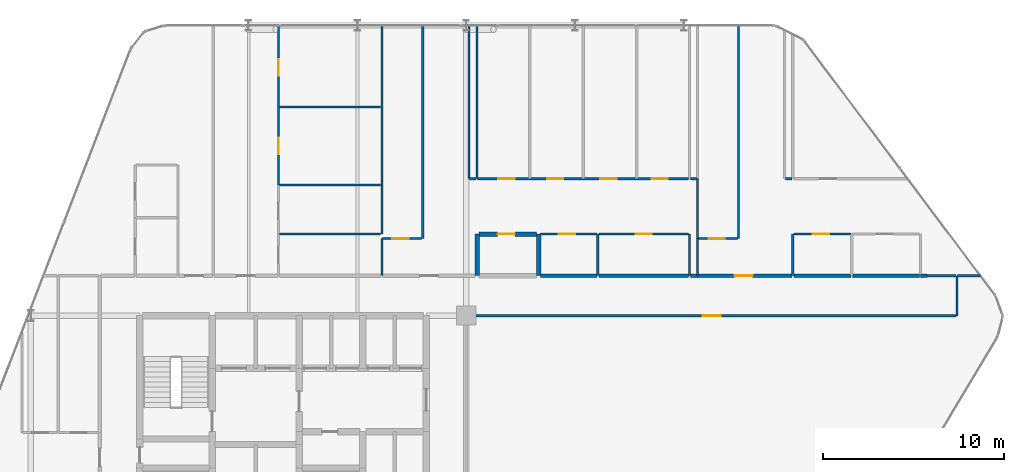
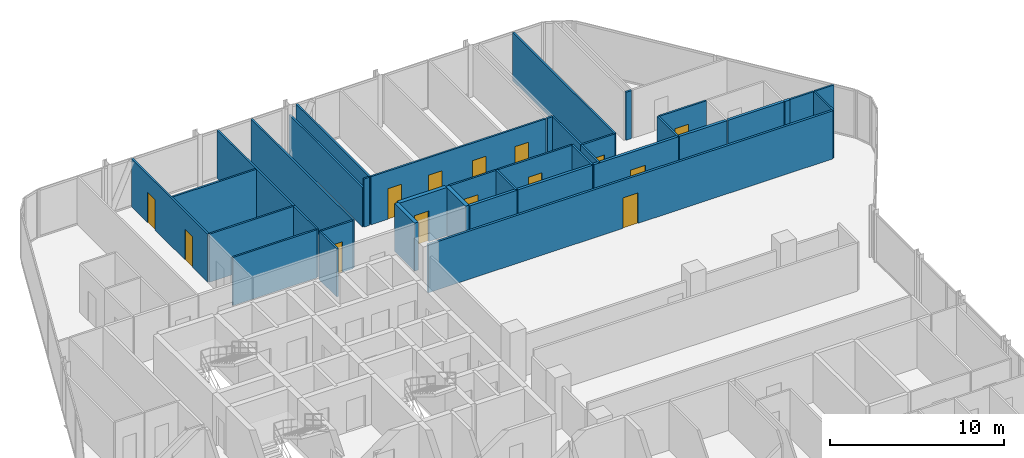
# One storey, part 28 of 30: 38 walls, 14 doors, 14 openings.
"""IFC4 building model written with IfcOpenShell, lengths in metres."""

from ifc_helpers import new_model, si_unit, direction, frame, frame_2d, origin, place, context, subcontext, project, spatial, rectangle, extrude, material, layer, layer_set, type_object, element, fill, save


model = new_model("IFC4")

# Units and contexts
model_context = context("Model", 3, precision=1e-05, world=origin(), true_north=direction((0.0, 1.0)))
body_context = subcontext(model_context, "Body", "Model", "MODEL_VIEW")
ifc_project = project(units=[si_unit("LENGTHUNIT", "METRE"), si_unit("AREAUNIT", "SQUARE_METRE"), si_unit("VOLUMEUNIT", "CUBIC_METRE"), si_unit("PLANEANGLEUNIT", "RADIAN"), si_unit("MASSUNIT", "GRAM", prefix="KILO")], contexts=[model_context])

# Site, building, storey
site_placement = place(None, origin())
site = spatial("IfcSite", under=ifc_project, at=site_placement, CompositionType="ELEMENT")
building_placement = place(site_placement, origin())
building = spatial("IfcBuilding", under=site, at=building_placement, Name="Keshet Zoharim Tower", CompositionType="ELEMENT")
storey_placement = place(building_placement, frame((0.0, 0.0, 90.89990234375)))
storey = spatial("IfcBuildingStorey", under=building, at=storey_placement, Name="L21", CompositionType="ELEMENT", Elevation=90.89990234375)

# Wall, opening, door
ifc_material_1 = material(Name="Gypsum Plasterboard", Category="gypsum")
ifc_layer_1 = layer(ifc_material_1, 0.14990234375)
ifc_layer_set_1 = layer_set([ifc_layer_1], Name="Gypsum Plasterboard")
wall_type_1 = type_object("IfcWallType", Name="WL-CLIN-150", PredefinedType="STANDARD", material=ifc_layer_set_1)
wall_1_placement = place(storey_placement, frame((33.070068359375, 37.89990234375, 0.0), z_axis=(0.0, 0.0, 1.0), x_axis=(1.0, 0.0, 0.0)))
wall_1 = element("IfcWall", 1, at=wall_1_placement, inside=storey, type_object=wall_type_1, Name="L21 Interior Wall 179", PredefinedType="STANDARD", context=body_context, shape_type="SweptSolid", body=[
    extrude(rectangle(XDim=26.934814453125, YDim=0.14990234375, at=frame_2d((13.46728515625, 0.0))), origin(), (0.0, 0.0, 1.0), 3.385009765625),
])
opening_1_placement = place(wall_1_placement, frame((12.9599609375, 0.0, 0.0)))
opening_1 = element("IfcOpeningElement", 2, at=opening_1_placement, cuts=wall_1, Name="Opening D-F310", PredefinedType="OPENING", context=body_context, shape_type="SweptSolid", body=[
    extrude(rectangle(XDim=1.0, YDim=2.14990234375, at=frame_2d((0.5, 1.074951171875))), frame((0.0, 0.0849609375, 0.0), z_axis=(0.0, -1.0, 0.0), x_axis=(1.0, 0.0, 0.0)), (0.0, 0.0, 1.0), 0.169921875),
])
ifc_material_2 = material(Name="Hardwood Timber", Category="wood")
door_type_1 = type_object("IfcDoorType", Name="DR-FD30-100", OperationType="NOTDEFINED", PredefinedType="DOOR", material=ifc_material_2)
door_1_placement = place(opening_1_placement, origin())
door_1 = element("IfcDoor", 3, at=door_1_placement, inside=storey, type_object=door_type_1, Name="L21 North East Residents Services Suite Door 1", OperationType="SINGLE_SWING_LEFT", OverallHeight=2.14990234375, OverallWidth=1.0, PredefinedType="DOOR", context=body_context, shape_type="SweptSolid", body=[
    extrude(rectangle(XDim=1.0, YDim=2.14990234375, at=frame_2d((0.5, 1.074951171875))), frame((0.0, 0.02490234375, 0.0), z_axis=(0.0, -1.0, 0.0), x_axis=(1.0, 0.0, 0.0)), (0.0, 0.0, 1.0), 0.050048828125),
])
fill(opening_1, door_1)

# Walls
ifc_layer_2 = layer(ifc_material_1, 0.179931640625)
ifc_layer_set_2 = layer_set([ifc_layer_2], Name="Gypsum Plasterboard")
wall_type_2 = type_object("IfcWallType", Name="WL-CORR-180", PredefinedType="STANDARD", material=ifc_layer_set_2)
wall_2_placement = place(storey_placement, frame((37.092041015625, 40.10009765625, 0.0), z_axis=(0.0, 0.0, 1.0), x_axis=(1.0, 0.0, 0.0)))
element("IfcWall", 4, at=wall_2_placement, inside=storey, type_object=wall_type_2, Name="L21 Interior Wall 189", PredefinedType="STANDARD", context=body_context, shape_type="SweptSolid", body=[
    extrude(rectangle(XDim=3.12890625, YDim=0.179931640625, at=frame_2d((1.564453125, 0.0))), origin(), (0.0, 0.0, 1.0), 3.385009765625),
])
wall_3_placement = place(storey_placement, frame((40.31103515625, 40.10009765625, 0.0), z_axis=(0.0, 0.0, 1.0), x_axis=(1.0, 0.0, 0.0)))
element("IfcWall", 5, at=wall_3_placement, inside=storey, type_object=wall_type_2, Name="L21 Interior Wall 190", PredefinedType="STANDARD", context=body_context, shape_type="SweptSolid", body=[
    extrude(rectangle(XDim=4.953857421875, YDim=0.179931640625, at=frame_2d((2.47705078125, 0.0))), origin(), (0.0, 0.0, 1.0), 3.385009765625),
])

# Wall, opening, door
wall_4_placement = place(storey_placement, frame((45.35498046875, 40.10009765625, 0.0), z_axis=(0.0, 0.0, 1.0), x_axis=(1.0, 0.0, 0.0)))
wall_4 = element("IfcWall", 6, at=wall_4_placement, inside=storey, type_object=wall_type_2, Name="L21 Interior Wall 191", PredefinedType="STANDARD", context=body_context, shape_type="SweptSolid", body=[
    extrude(rectangle(XDim=5.610107421875, YDim=0.179931640625, at=frame_2d((2.80517578125, 0.0))), origin(), (0.0, 0.0, 1.0), 3.385009765625),
])
opening_2_placement = place(wall_4_placement, frame((2.43505859375, 0.0, 0.0)))
opening_2 = element("IfcOpeningElement", 7, at=opening_2_placement, cuts=wall_4, Name="Opening D-F310", PredefinedType="OPENING", context=body_context, shape_type="SweptSolid", body=[
    extrude(rectangle(XDim=1.0, YDim=2.14990234375, at=frame_2d((0.5, 1.074951171875))), frame((0.0, 0.10009765625, 0.0), z_axis=(0.0, -1.0, 0.0), x_axis=(1.0, 0.0, 0.0)), (0.0, 0.0, 1.0), 0.199951171875),
])
door_2_placement = place(opening_2_placement, origin())
door_2 = element("IfcDoor", 8, at=door_2_placement, inside=storey, type_object=door_type_1, Name="Apartment 2107 Entrance Door", OperationType="SINGLE_SWING_LEFT", OverallHeight=2.14990234375, OverallWidth=1.0, PredefinedType="DOOR", context=body_context, shape_type="SweptSolid", body=[
    extrude(rectangle(XDim=1.0, YDim=2.14990234375, at=frame_2d((0.5, 1.074951171875))), frame((0.0, 0.02490234375, 0.0), z_axis=(0.0, -1.0, 0.0), x_axis=(1.0, 0.0, 0.0)), (0.0, 0.0, 1.0), 0.050048828125),
])
fill(opening_2, door_2)

# Walls
wall_5_placement = place(storey_placement, frame((51.054931640625, 40.10009765625, 0.0), z_axis=(0.0, 0.0, 1.0), x_axis=(1.0, 0.0, 0.0)))
element("IfcWall", 9, at=wall_5_placement, inside=storey, type_object=wall_type_2, Name="L21 Interior Wall 192", PredefinedType="STANDARD", context=body_context, shape_type="SweptSolid", body=[
    extrude(rectangle(XDim=3.14306640625, YDim=0.179931640625, at=frame_2d((1.571533203125, 0.0))), origin(), (0.0, 0.0, 1.0), 3.385009765625),
])
wall_6_placement = place(storey_placement, frame((54.2880859375, 40.10009765625, 0.0), z_axis=(0.0, 0.0, 1.0), x_axis=(1.0, 0.0, 0.0)))
element("IfcWall", 10, at=wall_6_placement, inside=storey, type_object=wall_type_2, Name="L21 Interior Wall 193", PredefinedType="STANDARD", context=body_context, shape_type="SweptSolid", body=[
    extrude(rectangle(XDim=3.704833984375, YDim=0.179931640625, at=frame_2d((1.8525390625, 0.0))), origin(), (0.0, 0.0, 1.0), 3.385009765625),
])
wall_7_placement = place(storey_placement, frame((58.050048828125, 40.10009765625, 0.0), z_axis=(0.0, 0.0, 1.0), x_axis=(1.0, 0.0, 0.0)))
element("IfcWall", 11, at=wall_7_placement, inside=storey, type_object=wall_type_2, Name="L21 Interior Wall 194", PredefinedType="STANDARD", context=body_context, shape_type="SweptSolid", body=[
    extrude(rectangle(XDim=0.349853515625, YDim=0.179931640625, at=frame_2d((0.1748046875, 0.0))), origin(), (0.0, 0.0, 1.0), 3.385009765625),
])
ifc_material_3 = material(Name="Concrete C50/60", Category="concrete")
ifc_layer_3 = layer(ifc_material_3, 0.25)
ifc_layer_set_3 = layer_set([ifc_layer_3], Name="Concrete C50/60")
wall_type_3 = type_object("IfcWallType", Name="WL-MAMAD-250", PredefinedType="STANDARD", material=ifc_layer_set_3)
for number, where, z_axis, x_axis, name in (
    (12, (33.60009765625, 40.10009765625, 0.0), (0.0, 0.0, 1.0), (0.0, 1.0, 0.0), "L21 Interior Wall 073"),
    (13, (37.0, 40.10009765625, 0.0), (0.0, 0.0, 1.0), (0.0, 1.0, 0.0), "L21 Interior Wall 078"),
):
    element("IfcWall", number, at=place(storey_placement, frame(where, z_axis=z_axis, x_axis=x_axis)), inside=storey, type_object=wall_type_3, Name=name, PredefinedType="STANDARD", context=body_context, shape_type="SweptSolid", body=[
        extrude(rectangle(XDim=2.2998046875, YDim=0.25, at=frame_2d((1.14990234375, 0.0))), origin(), (0.0, 0.0, 1.0), 3.385009765625),
    ])

# Wall, opening, door
wall_8_placement = place(storey_placement, frame((33.68994140625, 42.39990234375, 0.0), z_axis=(0.0, 0.0, 1.0), x_axis=(1.0, 0.0, 0.0)))
wall_8 = element("IfcWall", 14, at=wall_8_placement, inside=storey, type_object=wall_type_3, Name="L21 Interior Wall 200", PredefinedType="STANDARD", context=body_context, shape_type="SweptSolid", body=[
    extrude(rectangle(XDim=3.18212890625, YDim=0.25, at=frame_2d((1.591064453125, 0.0))), origin(), (0.0, 0.0, 1.0), 3.385009765625),
])
opening_3_placement = place(wall_8_placement, frame((1.0419921875, 0.0, 0.0)))
opening_3 = element("IfcOpeningElement", 15, at=opening_3_placement, cuts=wall_8, Name="Opening D-F695", PredefinedType="OPENING", context=body_context, shape_type="SweptSolid", body=[
    extrude(rectangle(XDim=0.949951171875, YDim=2.14990234375, at=frame_2d((0.47509765625, 1.074951171875))), frame((0.0, 0.135009765625, 0.0), z_axis=(0.0, -1.0, 0.0), x_axis=(1.0, 0.0, 0.0)), (0.0, 0.0, 1.0), 0.27001953125),
])
door_type_2 = type_object("IfcDoorType", Name="DR-FD60-095", OperationType="NOTDEFINED", PredefinedType="DOOR", material=ifc_material_2)
door_3_placement = place(opening_3_placement, origin())
door_3 = element("IfcDoor", 16, at=door_3_placement, inside=storey, type_object=door_type_2, Name="Apartment 2106 Study and Shelter Room Door", OperationType="SINGLE_SWING_RIGHT", OverallHeight=2.14990234375, OverallWidth=0.949951171875, PredefinedType="DOOR", context=body_context, shape_type="SweptSolid", body=[
    extrude(rectangle(XDim=0.949951171875, YDim=2.14990234375, at=frame_2d((0.47509765625, 1.074951171875))), frame((0.0, 0.02490234375, 0.0), z_axis=(0.0, -1.0, 0.0), x_axis=(1.0, 0.0, 0.0)), (0.0, 0.0, 1.0), 0.050048828125),
])
fill(opening_3, door_3)

# Wall, openings, doors
ifc_layer_4 = layer(ifc_material_1, 0.1201171875)
ifc_layer_set_4 = layer_set([ifc_layer_4], Name="Gypsum Plasterboard")
wall_type_4 = type_object("IfcWallType", Name="WL-PART-120", PredefinedType="PARTITIONING", material=ifc_layer_set_4)
wall_9_placement = place(storey_placement, frame((22.64990234375, 45.10009765625, 0.0), z_axis=(0.0, 0.0, 1.0), x_axis=(0.0, 1.0, 0.0)))
wall_9 = element("IfcWall", 17, at=wall_9_placement, inside=storey, type_object=wall_type_4, Name="L21 Interior Wall 033", PredefinedType="PARTITIONING", context=body_context, shape_type="SweptSolid", body=[
    extrude(rectangle(XDim=8.789794921875, YDim=0.1201171875, at=frame_2d((4.39501953125, 0.0))), origin(), (0.0, 0.0, 1.0), 3.385009765625),
])
opening_4_placement = place(wall_9_placement, frame((1.7119140625, 0.0, 0.0)))
opening_4 = element("IfcOpeningElement", 18, at=opening_4_placement, cuts=wall_9, Name="Opening D-IN90", PredefinedType="OPENING", context=body_context, shape_type="SweptSolid", body=[
    extrude(rectangle(XDim=0.89990234375, YDim=2.14990234375, at=frame_2d((0.449951171875, 1.074951171875))), frame((0.0, 0.070068359375, 0.0), z_axis=(0.0, -1.0, 0.0), x_axis=(1.0, 0.0, 0.0)), (0.0, 0.0, 1.0), 0.14013671875),
])
opening_5_placement = place(wall_9_placement, frame((6.030029296875, 0.0, 0.0)))
opening_5 = element("IfcOpeningElement", 19, at=opening_5_placement, cuts=wall_9, Name="Opening D-IN90", PredefinedType="OPENING", context=body_context, shape_type="SweptSolid", body=[
    extrude(rectangle(XDim=0.89990234375, YDim=2.14990234375, at=frame_2d((0.449951171875, 1.074951171875))), frame((0.0, 0.070068359375, 0.0), z_axis=(0.0, -1.0, 0.0), x_axis=(1.0, 0.0, 0.0)), (0.0, 0.0, 1.0), 0.14013671875),
])
door_type_3 = type_object("IfcDoorType", Name="DR-INT-090", OperationType="NOTDEFINED", PredefinedType="DOOR", material=ifc_material_2)
door_4_placement = place(opening_4_placement, origin())
door_4 = element("IfcDoor", 20, at=door_4_placement, inside=storey, type_object=door_type_3, Name="Apartment 2105 Bedroom 1 Door", OperationType="SINGLE_SWING_LEFT", OverallHeight=2.14990234375, OverallWidth=0.89990234375, PredefinedType="DOOR", context=body_context, shape_type="SweptSolid", body=[
    extrude(rectangle(XDim=0.89990234375, YDim=2.14990234375, at=frame_2d((0.449951171875, 1.074951171875))), frame((0.0, 0.02490234375, 0.0), z_axis=(0.0, -1.0, 0.0), x_axis=(1.0, 0.0, 0.0)), (0.0, 0.0, 1.0), 0.050048828125),
])
fill(opening_4, door_4)
door_5_placement = place(opening_5_placement, origin())
door_5 = element("IfcDoor", 21, at=door_5_placement, inside=storey, type_object=door_type_3, Name="Apartment 2105 Bedroom 2 Door", OperationType="SINGLE_SWING_RIGHT", OverallHeight=2.14990234375, OverallWidth=0.89990234375, PredefinedType="DOOR", context=body_context, shape_type="SweptSolid", body=[
    extrude(rectangle(XDim=0.89990234375, YDim=2.14990234375, at=frame_2d((0.449951171875, 1.074951171875))), frame((0.0, 0.02490234375, 0.0), z_axis=(0.0, -1.0, 0.0), x_axis=(1.0, 0.0, 0.0)), (0.0, 0.0, 1.0), 0.050048828125),
])
fill(opening_5, door_5)

# Walls
wall_10_placement = place(storey_placement, frame((28.35009765625, 40.10009765625, 0.0), z_axis=(0.0, 0.0, 1.0), x_axis=(0.0, 1.0, 0.0)))
element("IfcWall", 22, at=wall_10_placement, inside=storey, type_object=wall_type_4, Name="L21 Interior Wall 053", PredefinedType="PARTITIONING", context=body_context, shape_type="SweptSolid", body=[
    extrude(rectangle(XDim=2.0498046875, YDim=0.1201171875, at=frame_2d((1.02490234375, 0.0))), origin(), (0.0, 0.0, 1.0), 3.385009765625),
])
wall_11_placement = place(storey_placement, frame((28.35009765625, 45.10009765625, 0.0), z_axis=(0.0, 0.0, 1.0), x_axis=(0.0, 1.0, 0.0)))
element("IfcWall", 23, at=wall_11_placement, inside=storey, type_object=wall_type_4, Name="L21 Interior Wall 055", PredefinedType="PARTITIONING", context=body_context, shape_type="SweptSolid", body=[
    extrude(rectangle(XDim=8.789794921875, YDim=0.1201171875, at=frame_2d((4.39501953125, 0.0))), origin(), (0.0, 0.0, 1.0), 3.385009765625),
])
wall_12_placement = place(storey_placement, frame((30.60009765625, 42.14990234375, 0.0), z_axis=(0.0, 0.0, 1.0), x_axis=(0.0, 1.0, 0.0)))
element("IfcWall", 24, at=wall_12_placement, inside=storey, type_object=wall_type_4, Name="L21 Interior Wall 060", PredefinedType="PARTITIONING", context=body_context, shape_type="SweptSolid", body=[
    extrude(rectangle(XDim=11.739990234375, YDim=0.1201171875, at=frame_2d((5.8701171875, 0.0))), origin(), (0.0, 0.0, 1.0), 3.385009765625),
])
wall_13_placement = place(storey_placement, frame((33.14990234375, 45.449951171875, 0.0), z_axis=(0.0, 0.0, 1.0), x_axis=(0.0, 1.0, 0.0)))
element("IfcWall", 25, at=wall_13_placement, inside=storey, type_object=wall_type_4, Name="L21 Interior Wall 071", PredefinedType="PARTITIONING", context=body_context, shape_type="SweptSolid", body=[
    extrude(rectangle(XDim=8.43994140625, YDim=0.1201171875, at=frame_2d((4.219970703125, 0.0))), origin(), (0.0, 0.0, 1.0), 2.78515625),
])
wall_14_placement = place(storey_placement, frame((33.60009765625, 45.449951171875, 0.0), z_axis=(0.0, 0.0, 1.0), x_axis=(0.0, 1.0, 0.0)))
element("IfcWall", 26, at=wall_14_placement, inside=storey, type_object=wall_type_4, Name="L21 Interior Wall 074", PredefinedType="PARTITIONING", context=body_context, shape_type="SweptSolid", body=[
    extrude(rectangle(XDim=8.43994140625, YDim=0.1201171875, at=frame_2d((4.219970703125, 0.0))), origin(), (0.0, 0.0, 1.0), 3.385009765625),
])
wall_15_placement = place(storey_placement, frame((45.300048828125, 40.10009765625, 0.0), z_axis=(0.0, 0.0, 1.0), x_axis=(0.0, 1.0, 0.0)))
element("IfcWall", 27, at=wall_15_placement, inside=storey, type_object=wall_type_4, Name="L21 Interior Wall 090", PredefinedType="PARTITIONING", context=body_context, shape_type="SweptSolid", body=[
    extrude(rectangle(XDim=2.2998046875, YDim=0.1201171875, at=frame_2d((1.14990234375, 0.0))), origin(), (0.0, 0.0, 1.0), 3.385009765625),
])
wall_16_placement = place(storey_placement, frame((45.75, 40.10009765625, 0.0), z_axis=(0.0, 0.0, 1.0), x_axis=(0.0, 1.0, 0.0)))
element("IfcWall", 28, at=wall_16_placement, inside=storey, type_object=wall_type_4, Name="L21 Interior Wall 092", PredefinedType="PARTITIONING", context=body_context, shape_type="SweptSolid", body=[
    extrude(rectangle(XDim=2.0498046875, YDim=0.1201171875, at=frame_2d((1.02490234375, 0.0))), origin(), (0.0, 0.0, 1.0), 3.385009765625),
])
wall_17_placement = place(storey_placement, frame((45.75, 42.14990234375, 0.0), z_axis=(0.0, 0.0, 1.0), x_axis=(0.0, 1.0, 0.0)))
element("IfcWall", 29, at=wall_17_placement, inside=storey, type_object=wall_type_4, Name="L21 Interior Wall 093", PredefinedType="PARTITIONING", context=body_context, shape_type="SweptSolid", body=[
    extrude(rectangle(XDim=3.300048828125, YDim=0.1201171875, at=frame_2d((1.64990234375, 0.0))), origin(), (0.0, 0.0, 1.0), 3.385009765625),
])
wall_18_placement = place(storey_placement, frame((48.0, 42.14990234375, 0.0), z_axis=(0.0, 0.0, 1.0), x_axis=(0.0, 1.0, 0.0)))
element("IfcWall", 30, at=wall_18_placement, inside=storey, type_object=wall_type_4, Name="L21 Interior Wall 098", PredefinedType="PARTITIONING", context=body_context, shape_type="SweptSolid", body=[
    extrude(rectangle(XDim=11.739990234375, YDim=0.1201171875, at=frame_2d((5.8701171875, 0.0))), origin(), (0.0, 0.0, 1.0), 3.385009765625),
])
wall_19_placement = place(storey_placement, frame((51.0, 40.10009765625, 0.0), z_axis=(0.0, 0.0, 1.0), x_axis=(0.0, 1.0, 0.0)))
element("IfcWall", 31, at=wall_19_placement, inside=storey, type_object=wall_type_4, Name="L21 Interior Wall 102", PredefinedType="PARTITIONING", context=body_context, shape_type="SweptSolid", body=[
    extrude(rectangle(XDim=2.2998046875, YDim=0.1201171875, at=frame_2d((1.14990234375, 0.0))), origin(), (0.0, 0.0, 1.0), 3.385009765625),
])
wall_20_placement = place(storey_placement, frame((60.050048828125, 37.889892578125, 0.0), z_axis=(0.0, 0.0, 1.0), x_axis=(0.0, 1.0, 0.0)))
element("IfcWall", 32, at=wall_20_placement, inside=storey, type_object=wall_type_4, Name="L21 Interior Wall 112", PredefinedType="PARTITIONING", context=body_context, shape_type="SweptSolid", body=[
    extrude(rectangle(XDim=2.2001953125, YDim=0.1201171875, at=frame_2d((1.10009765625, 0.0))), origin(), (0.0, 0.0, 1.0), 3.385009765625),
])
wall_21_placement = place(storey_placement, frame((58.39990234375, 40.10009765625, 0.0), z_axis=(0.0, 0.0, 1.0), x_axis=(1.0, 0.0, 0.0)))
element("IfcWall", 33, at=wall_21_placement, inside=storey, type_object=wall_type_4, Name="L21 Interior Wall 195", PredefinedType="PARTITIONING", context=body_context, shape_type="SweptSolid", body=[
    extrude(rectangle(XDim=1.60498046875, YDim=0.1201171875, at=frame_2d((0.802490234375, 0.0))), origin(), (0.0, 0.0, 1.0), 3.385009765625),
])
wall_22_placement = place(storey_placement, frame((60.094970703125, 40.10009765625, 0.0), z_axis=(0.0, 0.0, 1.0), x_axis=(1.0, 0.0, 0.0)))
element("IfcWall", 34, at=wall_22_placement, inside=storey, type_object=wall_type_4, Name="L21 Interior Wall 196", PredefinedType="PARTITIONING", context=body_context, shape_type="SweptSolid", body=[
    extrude(rectangle(XDim=1.2451171875, YDim=0.1201171875, at=frame_2d((0.62255859375, 0.0))), origin(), (0.0, 0.0, 1.0), 3.385009765625),
])

# Wall, opening, door
wall_23_placement = place(storey_placement, frame((28.375, 42.14990234375, 0.0), z_axis=(0.0, 0.0, 1.0), x_axis=(1.0, 0.0, 0.0)))
wall_23 = element("IfcWall", 35, at=wall_23_placement, inside=storey, type_object=wall_type_4, Name="L21 Interior Wall 197", PredefinedType="PARTITIONING", context=body_context, shape_type="SweptSolid", body=[
    extrude(rectangle(XDim=2.159912109375, YDim=0.1201171875, at=frame_2d((1.080078125, 0.0))), origin(), (0.0, 0.0, 1.0), 3.385009765625),
])
opening_6_placement = place(wall_23_placement, frame((0.552978515625, 0.0, 0.0)))
opening_6 = element("IfcOpeningElement", 36, at=opening_6_placement, cuts=wall_23, Name="Opening D-IN90", PredefinedType="OPENING", context=body_context, shape_type="SweptSolid", body=[
    extrude(rectangle(XDim=0.89990234375, YDim=2.14990234375, at=frame_2d((0.449951171875, 1.074951171875))), frame((0.0, 0.070068359375, 0.0), z_axis=(0.0, -1.0, 0.0), x_axis=(1.0, 0.0, 0.0)), (0.0, 0.0, 1.0), 0.14013671875),
])
door_6_placement = place(opening_6_placement, origin())
door_6 = element("IfcDoor", 37, at=door_6_placement, inside=storey, type_object=door_type_3, Name="Apartment 2106 Formal Dining Room Door", OperationType="SINGLE_SWING_RIGHT", OverallHeight=2.14990234375, OverallWidth=0.89990234375, PredefinedType="DOOR", context=body_context, shape_type="SweptSolid", body=[
    extrude(rectangle(XDim=0.89990234375, YDim=2.14990234375, at=frame_2d((0.449951171875, 1.074951171875))), frame((0.0, 0.02490234375, 0.0), z_axis=(0.0, -1.0, 0.0), x_axis=(1.0, 0.0, 0.0)), (0.0, 0.0, 1.0), 0.050048828125),
])
fill(opening_6, door_6)

wall_24_placement = place(storey_placement, frame((45.804931640625, 42.14990234375, 0.0), z_axis=(0.0, 0.0, 1.0), x_axis=(1.0, 0.0, 0.0)))
wall_24 = element("IfcWall", 38, at=wall_24_placement, inside=storey, type_object=wall_type_4, Name="L21 Interior Wall 198", PredefinedType="PARTITIONING", context=body_context, shape_type="SweptSolid", body=[
    extrude(rectangle(XDim=2.16015625, YDim=0.1201171875, at=frame_2d((1.080078125, 0.0))), origin(), (0.0, 0.0, 1.0), 3.385009765625),
])
opening_7_placement = place(wall_24_placement, frame((0.552978515625, 0.0, 0.0)))
opening_7 = element("IfcOpeningElement", 39, at=opening_7_placement, cuts=wall_24, Name="Opening D-IN90", PredefinedType="OPENING", context=body_context, shape_type="SweptSolid", body=[
    extrude(rectangle(XDim=0.89990234375, YDim=2.14990234375, at=frame_2d((0.449951171875, 1.074951171875))), frame((0.0, 0.070068359375, 0.0), z_axis=(0.0, -1.0, 0.0), x_axis=(1.0, 0.0, 0.0)), (0.0, 0.0, 1.0), 0.14013671875),
])
door_7_placement = place(opening_7_placement, origin())
door_7 = element("IfcDoor", 40, at=door_7_placement, inside=storey, type_object=door_type_3, Name="Apartment 2107 Formal Dining Room Door", OperationType="SINGLE_SWING_LEFT", OverallHeight=2.14990234375, OverallWidth=0.89990234375, PredefinedType="DOOR", context=body_context, shape_type="SweptSolid", body=[
    extrude(rectangle(XDim=0.89990234375, YDim=2.14990234375, at=frame_2d((0.449951171875, 1.074951171875))), frame((0.0, 0.02490234375, 0.0), z_axis=(0.0, -1.0, 0.0), x_axis=(1.0, 0.0, 0.0)), (0.0, 0.0, 1.0), 0.050048828125),
])
fill(opening_7, door_7)

wall_25_placement = place(storey_placement, frame((40.31103515625, 42.39990234375, 0.0), z_axis=(0.0, 0.0, 1.0), x_axis=(1.0, 0.0, 0.0)))
wall_25 = element("IfcWall", 41, at=wall_25_placement, inside=storey, type_object=wall_type_4, Name="L21 Interior Wall 202", PredefinedType="PARTITIONING", context=body_context, shape_type="SweptSolid", body=[
    extrude(rectangle(XDim=4.953857421875, YDim=0.1201171875, at=frame_2d((2.47705078125, 0.0))), origin(), (0.0, 0.0, 1.0), 3.385009765625),
])
opening_8_placement = place(wall_25_placement, frame((2.027099609375, 0.0, 0.0)))
opening_8 = element("IfcOpeningElement", 42, at=opening_8_placement, cuts=wall_25, Name="Opening D-IN90", PredefinedType="OPENING", context=body_context, shape_type="SweptSolid", body=[
    extrude(rectangle(XDim=0.89990234375, YDim=2.14990234375, at=frame_2d((0.449951171875, 1.074951171875))), frame((0.0, 0.070068359375, 0.0), z_axis=(0.0, -1.0, 0.0), x_axis=(1.0, 0.0, 0.0)), (0.0, 0.0, 1.0), 0.14013671875),
])
door_8_placement = place(opening_8_placement, origin())
door_8 = element("IfcDoor", 43, at=door_8_placement, inside=storey, type_object=door_type_3, Name="Apartment 2106 Kitchen Door", OperationType="SINGLE_SWING_RIGHT", OverallHeight=2.14990234375, OverallWidth=0.89990234375, PredefinedType="DOOR", context=body_context, shape_type="SweptSolid", body=[
    extrude(rectangle(XDim=0.89990234375, YDim=2.14990234375, at=frame_2d((0.449951171875, 1.074951171875))), frame((0.0, 0.02490234375, 0.0), z_axis=(0.0, -1.0, 0.0), x_axis=(1.0, 0.0, 0.0)), (0.0, 0.0, 1.0), 0.050048828125),
])
fill(opening_8, door_8)

wall_26_placement = place(storey_placement, frame((51.054931640625, 42.39990234375, 0.0), z_axis=(0.0, 0.0, 1.0), x_axis=(1.0, 0.0, 0.0)))
wall_26 = element("IfcWall", 44, at=wall_26_placement, inside=storey, type_object=wall_type_4, Name="L21 Interior Wall 203", PredefinedType="PARTITIONING", context=body_context, shape_type="SweptSolid", body=[
    extrude(rectangle(XDim=3.14306640625, YDim=0.1201171875, at=frame_2d((1.571533203125, 0.0))), origin(), (0.0, 0.0, 1.0), 3.385009765625),
])
opening_9_placement = place(wall_26_placement, frame((1.051025390625, 0.0, 0.0)))
opening_9 = element("IfcOpeningElement", 45, at=opening_9_placement, cuts=wall_26, Name="Opening D-IN90", PredefinedType="OPENING", context=body_context, shape_type="SweptSolid", body=[
    extrude(rectangle(XDim=0.89990234375, YDim=2.14990234375, at=frame_2d((0.449951171875, 1.074951171875))), frame((0.0, 0.070068359375, 0.0), z_axis=(0.0, -1.0, 0.0), x_axis=(1.0, 0.0, 0.0)), (0.0, 0.0, 1.0), 0.14013671875),
])
door_9_placement = place(opening_9_placement, origin())
door_9 = element("IfcDoor", 46, at=door_9_placement, inside=storey, type_object=door_type_3, Name="Apartment 2107 Kitchen Door", OperationType="SINGLE_SWING_LEFT", OverallHeight=2.14990234375, OverallWidth=0.89990234375, PredefinedType="DOOR", context=body_context, shape_type="SweptSolid", body=[
    extrude(rectangle(XDim=0.89990234375, YDim=2.14990234375, at=frame_2d((0.449951171875, 1.074951171875))), frame((0.0, 0.02490234375, 0.0), z_axis=(0.0, -1.0, 0.0), x_axis=(1.0, 0.0, 0.0)), (0.0, 0.0, 1.0), 0.050048828125),
])
fill(opening_9, door_9)

# Wall
wall_27_placement = place(storey_placement, frame((33.175048828125, 45.449951171875, 0.0), z_axis=(0.0, 0.0, 1.0), x_axis=(1.0, 0.0, 0.0)))
element("IfcWall", 47, at=wall_27_placement, inside=storey, type_object=wall_type_4, Name="L21 Interior Wall 207", PredefinedType="PARTITIONING", context=body_context, shape_type="SweptSolid", body=[
    extrude(rectangle(XDim=0.35986328125, YDim=0.1201171875, at=frame_2d((0.179931640625, 0.0))), origin(), (0.0, 0.0, 1.0), 3.385009765625),
])

# Wall, openings, doors
wall_28_placement = place(storey_placement, frame((33.625, 45.449951171875, 0.0), z_axis=(0.0, 0.0, 1.0), x_axis=(1.0, 0.0, 0.0)))
wall_28 = element("IfcWall", 48, at=wall_28_placement, inside=storey, type_object=wall_type_4, Name="L21 Interior Wall 208", PredefinedType="PARTITIONING", context=body_context, shape_type="SweptSolid", body=[
    extrude(rectangle(XDim=11.639892578125, YDim=0.1201171875, at=frame_2d((5.81982421875, 0.0))), origin(), (0.0, 0.0, 1.0), 3.385009765625),
])
opening_10_placement = place(wall_28_placement, frame((1.14599609375, 0.0, 0.0)))
opening_10 = element("IfcOpeningElement", 49, at=opening_10_placement, cuts=wall_28, Name="Opening D-IN90", PredefinedType="OPENING", context=body_context, shape_type="SweptSolid", body=[
    extrude(rectangle(XDim=0.89990234375, YDim=2.14990234375, at=frame_2d((0.449951171875, 1.074951171875))), frame((0.0, 0.070068359375, 0.0), z_axis=(0.0, -1.0, 0.0), x_axis=(1.0, 0.0, 0.0)), (0.0, 0.0, 1.0), 0.14013671875),
])
opening_11_placement = place(wall_28_placement, frame((3.833984375, 0.0, 0.0)))
opening_11 = element("IfcOpeningElement", 50, at=opening_11_placement, cuts=wall_28, Name="Opening D-IN90", PredefinedType="OPENING", context=body_context, shape_type="SweptSolid", body=[
    extrude(rectangle(XDim=0.89990234375, YDim=2.14990234375, at=frame_2d((0.449951171875, 1.074951171875))), frame((0.0, 0.070068359375, 0.0), z_axis=(0.0, -1.0, 0.0), x_axis=(1.0, 0.0, 0.0)), (0.0, 0.0, 1.0), 0.14013671875),
])
opening_12_placement = place(wall_28_placement, frame((6.76611328125, 0.0, 0.0)))
opening_12 = element("IfcOpeningElement", 51, at=opening_12_placement, cuts=wall_28, Name="Opening D-IN90", PredefinedType="OPENING", context=body_context, shape_type="SweptSolid", body=[
    extrude(rectangle(XDim=0.89990234375, YDim=2.14990234375, at=frame_2d((0.449951171875, 1.074951171875))), frame((0.0, 0.070068359375, 0.0), z_axis=(0.0, -1.0, 0.0), x_axis=(1.0, 0.0, 0.0)), (0.0, 0.0, 1.0), 0.14013671875),
])
opening_13_placement = place(wall_28_placement, frame((9.593994140625, 0.0, 0.0)))
opening_13 = element("IfcOpeningElement", 52, at=opening_13_placement, cuts=wall_28, Name="Opening D-IN90", PredefinedType="OPENING", context=body_context, shape_type="SweptSolid", body=[
    extrude(rectangle(XDim=0.89990234375, YDim=2.14990234375, at=frame_2d((0.449951171875, 1.074951171875))), frame((0.0, 0.070068359375, 0.0), z_axis=(0.0, -1.0, 0.0), x_axis=(1.0, 0.0, 0.0)), (0.0, 0.0, 1.0), 0.14013671875),
])
door_10_placement = place(opening_10_placement, origin())
door_10 = element("IfcDoor", 53, at=door_10_placement, inside=storey, type_object=door_type_3, Name="Apartment 2106 Bedroom 1 Door", OperationType="SINGLE_SWING_LEFT", OverallHeight=2.14990234375, OverallWidth=0.89990234375, PredefinedType="DOOR", context=body_context, shape_type="SweptSolid", body=[
    extrude(rectangle(XDim=0.89990234375, YDim=2.14990234375, at=frame_2d((0.449951171875, 1.074951171875))), frame((0.0, 0.02490234375, 0.0), z_axis=(0.0, -1.0, 0.0), x_axis=(1.0, 0.0, 0.0)), (0.0, 0.0, 1.0), 0.050048828125),
])
fill(opening_10, door_10)
door_11_placement = place(opening_11_placement, origin())
door_11 = element("IfcDoor", 54, at=door_11_placement, inside=storey, type_object=door_type_3, Name="Apartment 2106 Bedroom 2 Door", OperationType="SINGLE_SWING_RIGHT", OverallHeight=2.14990234375, OverallWidth=0.89990234375, PredefinedType="DOOR", context=body_context, shape_type="SweptSolid", body=[
    extrude(rectangle(XDim=0.89990234375, YDim=2.14990234375, at=frame_2d((0.449951171875, 1.074951171875))), frame((0.0, 0.02490234375, 0.0), z_axis=(0.0, -1.0, 0.0), x_axis=(1.0, 0.0, 0.0)), (0.0, 0.0, 1.0), 0.050048828125),
])
fill(opening_11, door_11)
door_12_placement = place(opening_12_placement, origin())
door_12 = element("IfcDoor", 55, at=door_12_placement, inside=storey, type_object=door_type_3, Name="Apartment 2106 Bedroom 3 Door", OperationType="SINGLE_SWING_LEFT", OverallHeight=2.14990234375, OverallWidth=0.89990234375, PredefinedType="DOOR", context=body_context, shape_type="SweptSolid", body=[
    extrude(rectangle(XDim=0.89990234375, YDim=2.14990234375, at=frame_2d((0.449951171875, 1.074951171875))), frame((0.0, 0.02490234375, 0.0), z_axis=(0.0, -1.0, 0.0), x_axis=(1.0, 0.0, 0.0)), (0.0, 0.0, 1.0), 0.050048828125),
])
fill(opening_12, door_12)
door_13_placement = place(opening_13_placement, origin())
door_13 = element("IfcDoor", 56, at=door_13_placement, inside=storey, type_object=door_type_3, Name="Apartment 2106 Bedroom 4 Door", OperationType="SINGLE_SWING_RIGHT", OverallHeight=2.14990234375, OverallWidth=0.89990234375, PredefinedType="DOOR", context=body_context, shape_type="SweptSolid", body=[
    extrude(rectangle(XDim=0.89990234375, YDim=2.14990234375, at=frame_2d((0.449951171875, 1.074951171875))), frame((0.0, 0.02490234375, 0.0), z_axis=(0.0, -1.0, 0.0), x_axis=(1.0, 0.0, 0.0)), (0.0, 0.0, 1.0), 0.050048828125),
])
fill(opening_13, door_13)

# Walls
for number, where, z_axis, x_axis, name in (
    (57, (45.35498046875, 45.449951171875, 0.0), (0.0, 0.0, 1.0), (1.0, 0.0, 0.0), "L21 Interior Wall 209"),
    (58, (50.60498046875, 45.449951171875, 0.0), (0.0, 0.0, 1.0), (1.0, 0.0, 0.0), "L21 Interior Wall 210"),
):
    element("IfcWall", number, at=place(storey_placement, frame(where, z_axis=z_axis, x_axis=x_axis)), inside=storey, type_object=wall_type_4, Name=name, PredefinedType="PARTITIONING", context=body_context, shape_type="SweptSolid", body=[
        extrude(rectangle(XDim=0.360107421875, YDim=0.1201171875, at=frame_2d((0.18017578125, 0.0))), origin(), (0.0, 0.0, 1.0), 3.385009765625),
    ])
wall_29_placement = place(storey_placement, frame((22.695068359375, 49.39990234375, 0.0), z_axis=(0.0, 0.0, 1.0), x_axis=(1.0, 0.0, 0.0)))
element("IfcWall", 59, at=wall_29_placement, inside=storey, type_object=wall_type_4, Name="L21 Interior Wall 213", PredefinedType="PARTITIONING", context=body_context, shape_type="SweptSolid", body=[
    extrude(rectangle(XDim=5.58984375, YDim=0.1201171875, at=frame_2d((2.794921875, 0.0))), origin(), (0.0, 0.0, 1.0), 3.385009765625),
])
ifc_layer_5 = layer(ifc_material_1, 0.1201171875)
ifc_layer_set_5 = layer_set([ifc_layer_5], Name="Gypsum Plasterboard")
wall_type_5 = type_object("IfcWallType", Name="WL-WET-120", PredefinedType="PARTITIONING", material=ifc_layer_set_5)
wall_30_placement = place(storey_placement, frame((28.35009765625, 42.39990234375, 0.0), z_axis=(0.0, 0.0, 1.0), x_axis=(0.0, 1.0, 0.0)))
element("IfcWall", 60, at=wall_30_placement, inside=storey, type_object=wall_type_5, Name="L21 Interior Wall 054", PredefinedType="PARTITIONING", context=body_context, shape_type="SweptSolid", body=[
    extrude(rectangle(XDim=2.7001953125, YDim=0.1201171875, at=frame_2d((1.35009765625, 0.0))), origin(), (0.0, 0.0, 1.0), 3.385009765625),
])
wall_31_placement = place(storey_placement, frame((40.25, 40.10009765625, 0.0), z_axis=(0.0, 0.0, 1.0), x_axis=(0.0, 1.0, 0.0)))
element("IfcWall", 61, at=wall_31_placement, inside=storey, type_object=wall_type_5, Name="L21 Interior Wall 082", PredefinedType="PARTITIONING", context=body_context, shape_type="SweptSolid", body=[
    extrude(rectangle(XDim=2.2998046875, YDim=0.1201171875, at=frame_2d((1.14990234375, 0.0))), origin(), (0.0, 0.0, 1.0), 3.385009765625),
])
wall_32_placement = place(storey_placement, frame((22.695068359375, 42.39990234375, 0.0), z_axis=(0.0, 0.0, 1.0), x_axis=(1.0, 0.0, 0.0)))
element("IfcWall", 62, at=wall_32_placement, inside=storey, type_object=wall_type_5, Name="L21 Interior Wall 199", PredefinedType="PARTITIONING", context=body_context, shape_type="SweptSolid", body=[
    extrude(rectangle(XDim=5.58984375, YDim=0.1201171875, at=frame_2d((2.794921875, 0.0))), origin(), (0.0, 0.0, 1.0), 3.385009765625),
])

# Wall, opening, door
wall_33_placement = place(storey_placement, frame((37.092041015625, 42.39990234375, 0.0), z_axis=(0.0, 0.0, 1.0), x_axis=(1.0, 0.0, 0.0)))
wall_33 = element("IfcWall", 63, at=wall_33_placement, inside=storey, type_object=wall_type_5, Name="L21 Interior Wall 201", PredefinedType="PARTITIONING", context=body_context, shape_type="SweptSolid", body=[
    extrude(rectangle(XDim=3.12890625, YDim=0.1201171875, at=frame_2d((1.564453125, 0.0))), origin(), (0.0, 0.0, 1.0), 3.385009765625),
])
opening_14_placement = place(wall_33_placement, frame((1.010009765625, 0.0, 0.0)))
opening_14 = element("IfcOpeningElement", 64, at=opening_14_placement, cuts=wall_33, Name="Opening D-WT90", PredefinedType="OPENING", context=body_context, shape_type="SweptSolid", body=[
    extrude(rectangle(XDim=0.89990234375, YDim=2.10009765625, at=frame_2d((0.449951171875, 1.050048828125))), frame((0.0, 0.070068359375, 0.0), z_axis=(0.0, -1.0, 0.0), x_axis=(1.0, 0.0, 0.0)), (0.0, 0.0, 1.0), 0.14013671875),
])
door_type_4 = type_object("IfcDoorType", Name="DR-WET-090", OperationType="NOTDEFINED", PredefinedType="DOOR", material=ifc_material_2)
door_14_placement = place(opening_14_placement, origin())
door_14 = element("IfcDoor", 65, at=door_14_placement, inside=storey, type_object=door_type_4, Name="Apartment 2106 Bathroom Door", OperationType="SINGLE_SWING_LEFT", OverallHeight=2.10009765625, OverallWidth=0.89990234375, PredefinedType="DOOR", context=body_context, shape_type="SweptSolid", body=[
    extrude(rectangle(XDim=0.89990234375, YDim=2.10009765625, at=frame_2d((0.449951171875, 1.050048828125))), frame((0.0, 0.02490234375, 0.0), z_axis=(0.0, -1.0, 0.0), x_axis=(1.0, 0.0, 0.0)), (0.0, 0.0, 1.0), 0.050048828125),
])
fill(opening_14, door_14)

# Wall
wall_34_placement = place(storey_placement, frame((22.695068359375, 45.10009765625, 0.0), z_axis=(0.0, 0.0, 1.0), x_axis=(1.0, 0.0, 0.0)))
element("IfcWall", 66, at=wall_34_placement, inside=storey, type_object=wall_type_5, Name="L21 Interior Wall 206", PredefinedType="PARTITIONING", context=body_context, shape_type="SweptSolid", body=[
    extrude(rectangle(XDim=5.58984375, YDim=0.1201171875, at=frame_2d((2.794921875, 0.0))), origin(), (0.0, 0.0, 1.0), 3.385009765625),
])

save(model, "model.ifc")
